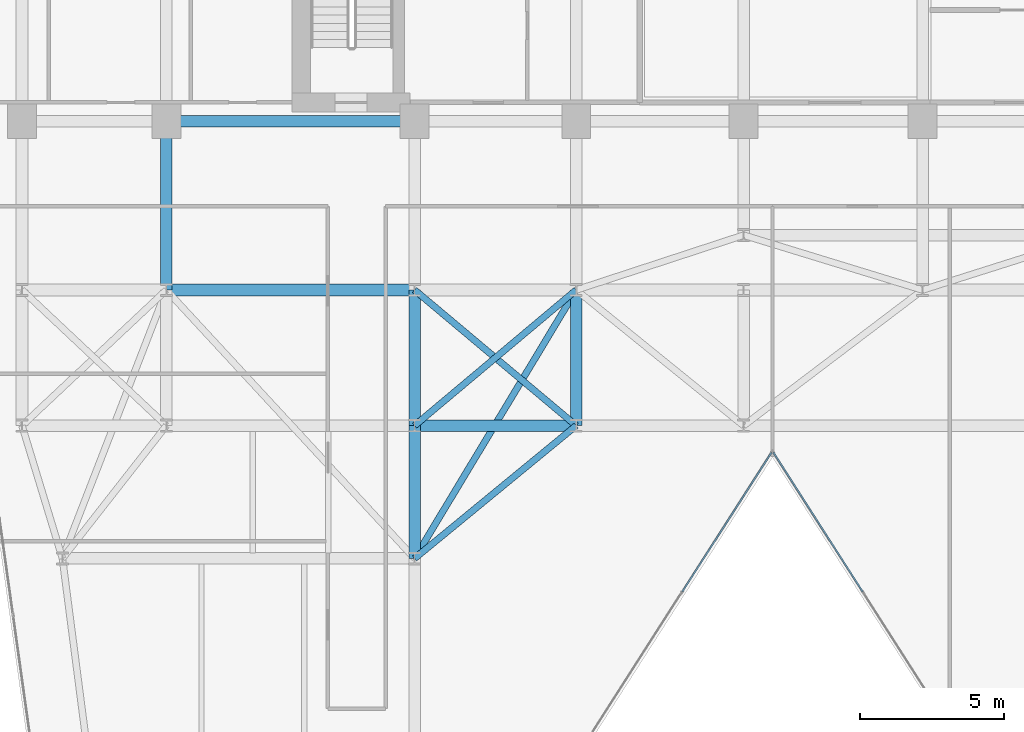
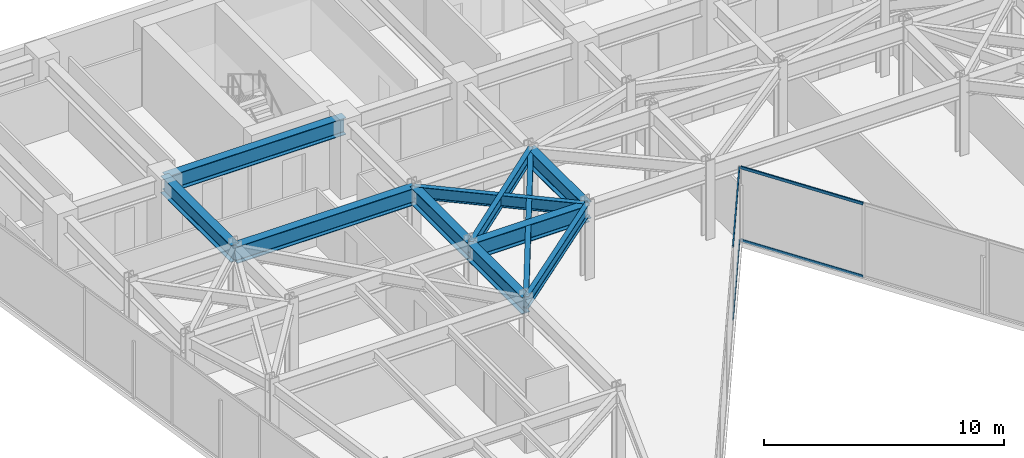
# One storey, part 12 of 26: 11 beams, 4 members, 2 elements without a shape of their own.
"""IFC4 building model written with IfcOpenShell, lengths in metres."""

from ifc_helpers import new_model, si_unit, direction, frame, origin, origin_2d, place, context, subcontext, project, spatial, hollow_rectangle, i_section, extrude, material, layer, layer_set, material_profile, profile_set, type_object, element, aggregate, save


model = new_model("IFC4")

# Units and contexts
model_context = context("Model", 3, precision=1e-05, world=origin(), true_north=direction((0.0, 1.0)))
body_context = subcontext(model_context, "Body", "Model", "MODEL_VIEW")
ifc_project = project(units=[si_unit("LENGTHUNIT", "METRE"), si_unit("AREAUNIT", "SQUARE_METRE"), si_unit("VOLUMEUNIT", "CUBIC_METRE"), si_unit("PLANEANGLEUNIT", "RADIAN"), si_unit("MASSUNIT", "GRAM", prefix="KILO")], contexts=[model_context])

# Site, building, storey
site_placement = place(None, origin())
site = spatial("IfcSite", under=ifc_project, at=site_placement, CompositionType="ELEMENT")
building_placement = place(site_placement, origin())
building = spatial("IfcBuilding", under=site, at=building_placement, Name="Kravanh Interchange Tower", CompositionType="ELEMENT")
storey_placement = place(building_placement, frame((0.0, 0.0, 136.0)))
storey = spatial("IfcBuildingStorey", under=building, at=storey_placement, Name="L32", CompositionType="ELEMENT", Elevation=136.0)

# Curtain wall, members
ifc_material_1 = material(Name="Anodised Bronze Aluminium", Category="aluminium")
ifc_layer = layer(ifc_material_1, 0.179931640625)
ifc_layer_set = layer_set([ifc_layer], Name="Unitised Curtain Wall System CW-Z2 Mid Office")
curtain_wall_type = type_object("IfcCurtainWallType", Name="Unitised Curtain Wall System CW-Z2 Mid Office", PredefinedType="NOTDEFINED", material=ifc_layer_set)
curtain_wall_1_placement = place(storey_placement, origin())
curtain_wall_1 = element("IfcCurtainWall", 1, at=curtain_wall_1_placement, inside=storey, type_object=curtain_wall_type, Name="L32 Unitised Curtain Wall CW-L32-04", PredefinedType="NOTDEFINED")
ifc_material_2 = material(Name="Anodised Bronze Aluminium", Category="aluminium")
ifc_material_profile_1 = material_profile(ifc_material_2, hollow_rectangle(XDim=0.06005859375, YDim=0.139892578125, WallThickness=0.00390625, at=origin_2d()), Name="ALU60X140X4")
ifc_profile_set_1 = profile_set([ifc_material_profile_1], Name="Anodised Bronze Aluminium")
member_type = type_object("IfcMemberType", Name="Curtain Wall Transom ALU60X140X4 Bronze", PredefinedType="USERDEFINED", material=ifc_profile_set_1)
member_1_placement = place(storey_placement, frame((42.72509765625, 21.047119140625, 0.030029296875), z_axis=(-0.53966766312, 0.841878146398, 0.0), x_axis=(-0.841878146398, -0.53966766312, 0.0)))
member_1 = element("IfcMember", 2, at=member_1_placement, type_object=member_type, Name="CW-Z2 transom 4.1", ObjectType="TRANSOM", PredefinedType="USERDEFINED", context=body_context, shape_type="SweptSolid", body=[
    extrude(hollow_rectangle(XDim=0.06005859375, YDim=0.139892578125, WallThickness=0.00390625, at=origin_2d()), origin(), (0.0, 0.0, 1.0), 5.73095703125),
])
member_2_placement = place(storey_placement, frame((42.72509765625, 21.047119140625, 3.719970703125), z_axis=(-0.53966766312, 0.841878146398, 0.0), x_axis=(-0.841878146398, -0.53966766312, 0.0)))
member_2 = element("IfcMember", 3, at=member_2_placement, type_object=member_type, Name="CW-Z2 transom 4.2", ObjectType="TRANSOM", PredefinedType="USERDEFINED", context=body_context, shape_type="SweptSolid", body=[
    extrude(hollow_rectangle(XDim=0.06005859375, YDim=0.139892578125, WallThickness=0.00390625, at=origin_2d()), origin(), (0.0, 0.0, 1.0), 5.73095703125),
])
aggregate(curtain_wall_1, [member_1, member_2])

curtain_wall_2_placement = place(storey_placement, origin())
curtain_wall_2 = element("IfcCurtainWall", 4, at=curtain_wall_2_placement, inside=storey, type_object=curtain_wall_type, Name="L32 Unitised Curtain Wall CW-L32-05", PredefinedType="NOTDEFINED")
member_3_placement = place(storey_placement, frame((39.567626953125, 25.871826171875, 0.030029296875), z_axis=(-0.53966766312, -0.841878146398, 0.0), x_axis=(0.841878146398, -0.53966766312, 0.0)))
member_3 = element("IfcMember", 5, at=member_3_placement, type_object=member_type, Name="CW-Z2 transom 1.1", ObjectType="TRANSOM", PredefinedType="USERDEFINED", context=body_context, shape_type="SweptSolid", body=[
    extrude(hollow_rectangle(XDim=0.06005859375, YDim=0.139892578125, WallThickness=0.00390625, at=origin_2d()), origin(), (0.0, 0.0, 1.0), 5.73095703125),
])
member_4_placement = place(storey_placement, frame((39.567626953125, 25.871826171875, 3.719970703125), z_axis=(-0.53966766312, -0.841878146398, 0.0), x_axis=(0.841878146398, -0.53966766312, 0.0)))
member_4 = element("IfcMember", 6, at=member_4_placement, type_object=member_type, Name="CW-Z2 transom 1.2", ObjectType="TRANSOM", PredefinedType="USERDEFINED", context=body_context, shape_type="SweptSolid", body=[
    extrude(hollow_rectangle(XDim=0.06005859375, YDim=0.139892578125, WallThickness=0.00390625, at=origin_2d()), origin(), (0.0, 0.0, 1.0), 5.73095703125),
])
aggregate(curtain_wall_2, [member_3, member_4])

# Beams
ifc_material_3 = material(Name="Structural Steel S355", Category="steel")
ifc_material_profile_2 = material_profile(ifc_material_3, i_section(OverallWidth=0.39990234375, OverallDepth=0.85595703125, WebThickness=0.018310546875, FlangeThickness=0.029296875, FilletRadius=0.02490234375, at=origin_2d()), Name="W33X201")
ifc_profile_set_2 = profile_set([ifc_material_profile_2], Name="Structural Steel S355")
beam_type_1 = type_object("IfcBeamType", Name="Floor Beam W33X201 Structural Steel S355", PredefinedType="BEAM", material=ifc_profile_set_2)
beam_1_placement = place(storey_placement, frame((27.199951171875, 37.35009765625, 3.322021484375), z_axis=(-1.0, 0.0, 0.0), x_axis=(0.0, -1.0, 0.0)))
element("IfcBeam", 7, at=beam_1_placement, inside=storey, type_object=beam_type_1, Name="L32 Primary Floor Girder 25", PredefinedType="BEAM", context=body_context, shape_type="SweptSolid", body=[
    extrude(i_section(OverallWidth=0.39990234375, OverallDepth=0.85595703125, WebThickness=0.018310546875, FlangeThickness=0.029296875, FilletRadius=0.02490234375, at=origin_2d()), origin(), (0.0, 0.0, 1.0), 8.599853515625),
])
beam_2_placement = place(storey_placement, frame((18.60009765625, 37.35009765625, 3.322021484375), z_axis=(0.0, -1.0, 0.0), x_axis=(1.0, 0.0, 0.0)))
element("IfcBeam", 8, at=beam_2_placement, inside=storey, type_object=beam_type_1, Name="L32 Primary Floor Girder 29", PredefinedType="BEAM", context=body_context, shape_type="SweptSolid", body=[
    extrude(i_section(OverallWidth=0.39990234375, OverallDepth=0.85595703125, WebThickness=0.018310546875, FlangeThickness=0.029296875, FilletRadius=0.02490234375, at=origin_2d()), origin(), (0.0, 0.0, 1.0), 5.85009765625),
])
beam_3_placement = place(storey_placement, frame((27.199951171875, 26.800048828125, 3.322021484375), z_axis=(0.0, -1.0, 0.0), x_axis=(1.0, 0.0, 0.0)))
element("IfcBeam", 9, at=beam_3_placement, inside=storey, type_object=beam_type_1, Name="L32 Primary Floor Girder 45", PredefinedType="BEAM", context=body_context, shape_type="SweptSolid", body=[
    extrude(i_section(OverallWidth=0.39990234375, OverallDepth=0.85595703125, WebThickness=0.018310546875, FlangeThickness=0.029296875, FilletRadius=0.02490234375, at=origin_2d()), origin(), (0.0, 0.0, 1.0), 4.60009765625),
])
beam_4_placement = place(storey_placement, frame((27.199951171875, 26.800048828125, 3.322021484375), z_axis=(0.0, 1.0, 0.0), x_axis=(-1.0, 0.0, 0.0)))
element("IfcBeam", 10, at=beam_4_placement, inside=storey, type_object=beam_type_1, Name="L32 Primary Floor Girder 46", PredefinedType="BEAM", context=body_context, shape_type="SweptSolid", body=[
    extrude(i_section(OverallWidth=0.39990234375, OverallDepth=0.85595703125, WebThickness=0.018310546875, FlangeThickness=0.029296875, FilletRadius=0.02490234375, at=origin_2d()), origin(), (0.0, 0.0, 1.0), 4.699951171875),
])
beam_5_placement = place(storey_placement, frame((27.199951171875, 26.800048828125, 3.322021484375), z_axis=(1.0, 0.0, 0.0), x_axis=(0.0, 1.0, 0.0)))
element("IfcBeam", 11, at=beam_5_placement, inside=storey, type_object=beam_type_1, Name="L32 Primary Floor Girder 47", PredefinedType="BEAM", context=body_context, shape_type="SweptSolid", body=[
    extrude(i_section(OverallWidth=0.39990234375, OverallDepth=0.85595703125, WebThickness=0.018310546875, FlangeThickness=0.029296875, FilletRadius=0.02490234375, at=origin_2d()), origin(), (0.0, 0.0, 1.0), 5.60009765625),
])
beam_6_placement = place(storey_placement, frame((32.800048828125, 26.800048828125, 3.322021484375), z_axis=(0.0, 1.0, 0.0), x_axis=(-1.0, 0.0, 0.0)))
element("IfcBeam", 12, at=beam_6_placement, inside=storey, type_object=beam_type_1, Name="L32 Primary Floor Girder 49", PredefinedType="BEAM", context=body_context, shape_type="SweptSolid", body=[
    extrude(i_section(OverallWidth=0.39990234375, OverallDepth=0.85595703125, WebThickness=0.018310546875, FlangeThickness=0.029296875, FilletRadius=0.02490234375, at=origin_2d()), origin(), (0.0, 0.0, 1.0), 4.699951171875),
])
beam_7_placement = place(storey_placement, frame((18.60009765625, 31.5, 3.322021484375), z_axis=(1.0, 0.0, 0.0), x_axis=(0.0, 1.0, 0.0)))
element("IfcBeam", 13, at=beam_7_placement, inside=storey, type_object=beam_type_1, Name="L32 Primary Floor Girder 71", PredefinedType="BEAM", context=body_context, shape_type="SweptSolid", body=[
    extrude(i_section(OverallWidth=0.39990234375, OverallDepth=0.85595703125, WebThickness=0.018310546875, FlangeThickness=0.029296875, FilletRadius=0.02490234375, at=origin_2d()), origin(), (0.0, 0.0, 1.0), 8.599853515625),
])
ifc_material_4 = material(Name="Structural Steel S355", Category="steel")
ifc_material_profile_3 = material_profile(ifc_material_4, i_section(OverallWidth=0.22802734375, OverallDepth=0.60791015625, WebThickness=0.01123046875, FlangeThickness=0.017333984375, FilletRadius=0.02197265625, at=origin_2d()), Name="W24X76")
ifc_profile_set_3 = profile_set([ifc_material_profile_3], Name="Structural Steel S355")
beam_type_2 = type_object("IfcBeamType", Name="Floor Spandrel W24X76 Structural Steel S355", PredefinedType="SPANDREL", material=ifc_profile_set_3)
beam_8_placement = place(storey_placement, frame((27.199951171875, 26.800048828125, 3.446044921875), z_axis=(0.765983062929, 0.642860752657, 0.0), x_axis=(-0.642860752657, 0.765983062929, 0.0)))
element("IfcBeam", 14, at=beam_8_placement, inside=storey, type_object=beam_type_2, Name="L32 Perimeter Spandrel 48", PredefinedType="SPANDREL", context=body_context, shape_type="SweptSolid", body=[
    extrude(i_section(OverallWidth=0.22802734375, OverallDepth=0.60791015625, WebThickness=0.01123046875, FlangeThickness=0.017333984375, FilletRadius=0.02197265625, at=origin_2d()), origin(), (0.0, 0.0, 1.0), 7.31103515625),
])
beam_9_placement = place(storey_placement, frame((32.800048828125, 26.800048828125, 3.446044921875), z_axis=(-0.772725074305, -0.634740860147, 0.0), x_axis=(0.634740860147, -0.772725074305, 0.0)))
element("IfcBeam", 15, at=beam_9_placement, inside=storey, type_object=beam_type_2, Name="L32 Perimeter Spandrel 51", PredefinedType="SPANDREL", context=body_context, shape_type="SweptSolid", body=[
    extrude(i_section(OverallWidth=0.22802734375, OverallDepth=0.60791015625, WebThickness=0.01123046875, FlangeThickness=0.017333984375, FilletRadius=0.02197265625, at=origin_2d()), origin(), (0.0, 0.0, 1.0), 7.247314453125),
])
beam_10_placement = place(storey_placement, frame((32.800048828125, 26.800048828125, 3.446044921875), z_axis=(-0.765983062929, 0.642860752657, 0.0), x_axis=(-0.642860752657, -0.765983062929, 0.0)))
element("IfcBeam", 16, at=beam_10_placement, inside=storey, type_object=beam_type_2, Name="L32 Perimeter Spandrel 52", PredefinedType="SPANDREL", context=body_context, shape_type="SweptSolid", body=[
    extrude(i_section(OverallWidth=0.22802734375, OverallDepth=0.60791015625, WebThickness=0.01123046875, FlangeThickness=0.017333984375, FilletRadius=0.02197265625, at=origin_2d()), origin(), (0.0, 0.0, 1.0), 7.31103515625),
])
beam_11_placement = place(storey_placement, frame((32.800048828125, 31.5, 3.446044921875), z_axis=(-0.515854375109, -0.856676288735, 0.0), x_axis=(0.856676288735, -0.515854375109, 0.0)))
element("IfcBeam", 17, at=beam_11_placement, inside=storey, type_object=beam_type_2, Name="L32 Perimeter Spandrel 80", PredefinedType="SPANDREL", context=body_context, shape_type="SweptSolid", body=[
    extrude(i_section(OverallWidth=0.22802734375, OverallDepth=0.60791015625, WebThickness=0.01123046875, FlangeThickness=0.017333984375, FilletRadius=0.02197265625, at=origin_2d()), origin(), (0.0, 0.0, 1.0), 10.85595703125),
])

save(model, "model.ifc")
